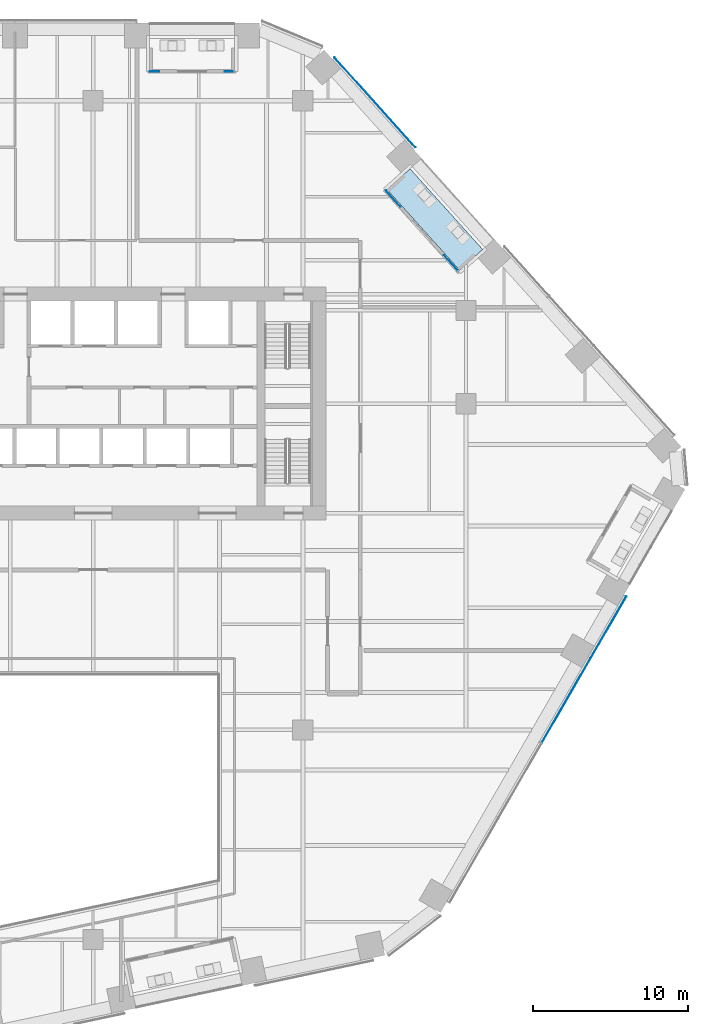
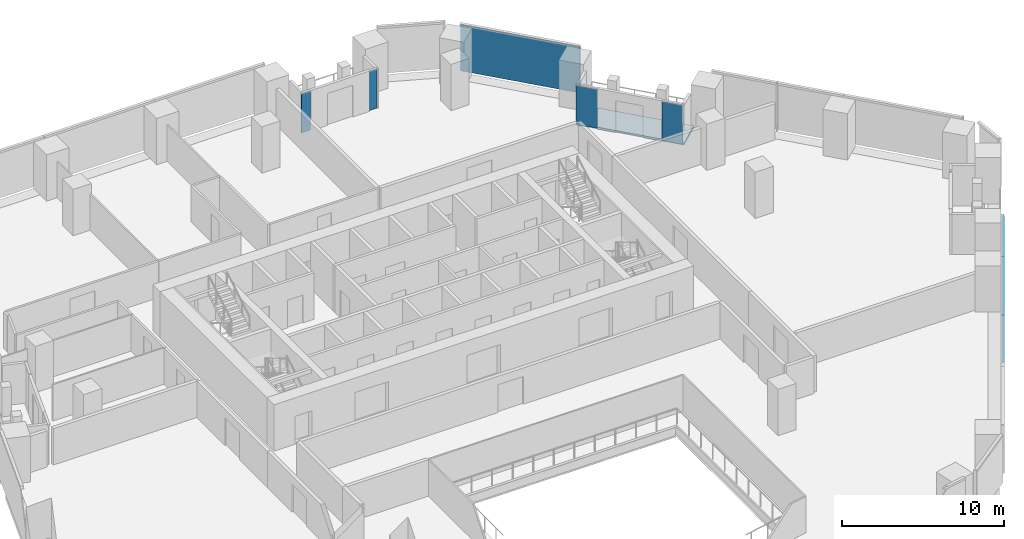
# One storey, part 18 of 28: 7 plates, 1 slab, 4 elements without a shape of their own.
"""IFC4 building model written with IfcOpenShell, lengths in metres."""

from ifc_helpers import new_model, si_unit, direction, frame, origin, origin_2d, place, context, subcontext, project, spatial, polyline, rectangle, outline, extrude, material, layer, layer_set, type_object, element, aggregate, save


model = new_model("IFC4")

# Units and contexts
model_context = context("Model", 3, precision=1e-05, world=origin(), true_north=direction((0.0, 1.0)))
body_context = subcontext(model_context, "Body", "Model", "MODEL_VIEW")
ifc_project = project(units=[si_unit("LENGTHUNIT", "METRE"), si_unit("AREAUNIT", "SQUARE_METRE"), si_unit("VOLUMEUNIT", "CUBIC_METRE"), si_unit("PLANEANGLEUNIT", "RADIAN"), si_unit("MASSUNIT", "GRAM", prefix="KILO")], contexts=[model_context])

# Site, building, storey
site_placement = place(None, origin())
site = spatial("IfcSite", under=ifc_project, at=site_placement, CompositionType="ELEMENT")
building_placement = place(site_placement, origin())
building = spatial("IfcBuilding", under=site, at=building_placement, Name="Isthmus Gate Tower", CompositionType="ELEMENT")
storey_placement = place(building_placement, frame((0.0, 0.0, 98.89990234375)))
storey = spatial("IfcBuildingStorey", under=building, at=storey_placement, Name="L23", CompositionType="ELEMENT", Elevation=98.89990234375)

# Curtain wall, plates
ifc_material_1 = material(Name="Aluminium, pale champagne anodised", Category="aluminium")
ifc_layer_1 = layer(ifc_material_1, 0.199951171875)
ifc_layer_set_1 = layer_set([ifc_layer_1], Name="CW-1 UNITISED CURTAIN WALL 200 DEEP")
curtain_wall_type_1 = type_object("IfcCurtainWallType", Name="CW-1 UNITISED CURTAIN WALL 200 DEEP", PredefinedType="NOTDEFINED", material=ifc_layer_set_1)
curtain_wall_1_placement = place(storey_placement, origin())
curtain_wall_1 = element("IfcCurtainWall", 1, at=curtain_wall_1_placement, inside=storey, type_object=curtain_wall_type_1, Name="CW-1 SE L23", PredefinedType="NOTDEFINED")
ifc_material_2 = material(Name="Laminated low-iron glass, pale blue tint", Category="glass")
ifc_layer_2 = layer(ifc_material_2, 0.0400390625)
ifc_layer_set_2 = layer_set([ifc_layer_2], Name="CW-1 CLEAR GLASS LITE 40")
plate_type_1 = type_object("IfcPlateType", Name="CW-1 CLEAR GLASS LITE 40", PredefinedType="CURTAIN_PANEL", material=ifc_layer_set_2)
plate_1_placement = place(storey_placement, frame((30.4560546875, -11.608642578125, 0.0), z_axis=(0.0, 0.0, 1.0), x_axis=(0.5, 0.866025403784, 0.0)))
plate_1 = element("IfcPlate", 2, at=plate_1_placement, type_object=plate_type_1, Name="CW-1 glass lite", PredefinedType="CURTAIN_PANEL", context=body_context, shape_type="SweptSolid", body=[
    extrude(rectangle(XDim=6.278564453125, YDim=0.0400390625, at=origin_2d()), origin(), (0.0, 0.0, 1.0), 3.5),
])
plate_2_placement = place(storey_placement, frame((33.173828125, -6.901123046875, 0.0), z_axis=(0.0, 0.0, 1.0), x_axis=(0.5, 0.866025403784, 0.0)))
plate_2 = element("IfcPlate", 3, at=plate_2_placement, type_object=plate_type_1, Name="CW-1 glass lite", PredefinedType="CURTAIN_PANEL", context=body_context, shape_type="SweptSolid", body=[
    extrude(rectangle(XDim=4.5927734375, YDim=0.0400390625, at=origin_2d()), origin(), (0.0, 0.0, 1.0), 3.5),
])
aggregate(curtain_wall_1, [plate_1, plate_2])

# Curtain wall, plate
curtain_wall_2_placement = place(storey_placement, origin())
curtain_wall_2 = element("IfcCurtainWall", 4, at=curtain_wall_2_placement, inside=storey, type_object=curtain_wall_type_1, Name="CW-1 NE L23", PredefinedType="NOTDEFINED")
plate_3_placement = place(storey_placement, frame((18.14013671875, 26.900390625, 0.0), z_axis=(0.0, 0.0, 1.0), x_axis=(-0.669130606359, 0.743144825477, 0.0)))
plate_3 = element("IfcPlate", 5, at=plate_3_placement, type_object=plate_type_1, Name="CW-1 glass lite", PredefinedType="CURTAIN_PANEL", context=body_context, shape_type="SweptSolid", body=[
    extrude(rectangle(XDim=7.789306640625, YDim=0.0400390625, at=origin_2d()), origin(), (0.0, 0.0, 1.0), 3.5),
])
aggregate(curtain_wall_2, [plate_3])

# Curtain wall, plates
ifc_material_3 = material(Name="Aluminium, pale champagne anodised", Category="aluminium")
ifc_layer_3 = layer(ifc_material_3, 0.14990234375)
ifc_layer_set_3 = layer_set([ifc_layer_3], Name="CW-6 LOGGIA BACK WALL GLAZING 150 DEEP")
curtain_wall_type_2 = type_object("IfcCurtainWallType", Name="CW-6 LOGGIA BACK WALL GLAZING 150 DEEP", PredefinedType="NOTDEFINED", material=ifc_layer_set_3)
curtain_wall_3_placement = place(storey_placement, origin())
curtain_wall_3 = element("IfcCurtainWall", 6, at=curtain_wall_3_placement, inside=storey, type_object=curtain_wall_type_2, Name="CW-6 N L23", PredefinedType="NOTDEFINED")
ifc_material_4 = material(Name="Laminated low-iron glass, clear", Category="glass")
ifc_layer_4 = layer(ifc_material_4, 0.031982421875)
ifc_layer_set_4 = layer_set([ifc_layer_4], Name="CW-6 CLEAR GLASS LITE 32")
plate_type_2 = type_object("IfcPlateType", Name="CW-6 CLEAR GLASS LITE 32", PredefinedType="CURTAIN_PANEL", material=ifc_layer_set_4)
plate_4_placement = place(storey_placement, frame((8.75439453125, 28.89990234375, 0.0), z_axis=(0.0, 0.0, 1.0), x_axis=(-1.0, 0.0, 0.0)))
plate_4 = element("IfcPlate", 7, at=plate_4_placement, type_object=plate_type_2, Name="CW-6 glass lite", PredefinedType="CURTAIN_PANEL", context=body_context, shape_type="SweptSolid", body=[
    extrude(rectangle(XDim=0.57470703125, YDim=0.031982421875, at=origin_2d()), origin(), (0.0, 0.0, 1.0), 2.929931640625),
])
plate_5_placement = place(storey_placement, frame((3.94970703125, 28.89990234375, 0.0), z_axis=(0.0, 0.0, 1.0), x_axis=(-1.0, 0.0, 0.0)))
plate_5 = element("IfcPlate", 8, at=plate_5_placement, type_object=plate_type_2, Name="CW-6 glass lite", PredefinedType="CURTAIN_PANEL", context=body_context, shape_type="SweptSolid", body=[
    extrude(rectangle(XDim=0.634765625, YDim=0.031982421875, at=origin_2d()), origin(), (0.0, 0.0, 1.0), 2.929931640625),
])
aggregate(curtain_wall_3, [plate_4, plate_5])

curtain_wall_4_placement = place(storey_placement, origin())
curtain_wall_4 = element("IfcCurtainWall", 9, at=curtain_wall_4_placement, inside=storey, type_object=curtain_wall_type_2, Name="CW-6 NE L23", PredefinedType="NOTDEFINED")
plate_6_placement = place(storey_placement, frame((23.0341796875, 16.563232421875, 0.0), z_axis=(0.0, 0.0, 1.0), x_axis=(-0.669130606359, 0.743144825477, 0.0)))
plate_6 = element("IfcPlate", 10, at=plate_6_placement, type_object=plate_type_2, Name="CW-6 glass lite", PredefinedType="CURTAIN_PANEL", context=body_context, shape_type="SweptSolid", body=[
    extrude(rectangle(XDim=1.334716796875, YDim=0.031982421875, at=origin_2d()), origin(), (0.0, 0.0, 1.0), 2.929931640625),
])
plate_7_placement = place(storey_placement, frame((19.310546875, 20.69873046875, 0.0), z_axis=(0.0, 0.0, 1.0), x_axis=(-0.669130606359, 0.743144825477, 0.0)))
plate_7 = element("IfcPlate", 11, at=plate_7_placement, type_object=plate_type_2, Name="CW-6 glass lite", PredefinedType="CURTAIN_PANEL", context=body_context, shape_type="SweptSolid", body=[
    extrude(rectangle(XDim=1.394775390625, YDim=0.031982421875, at=origin_2d()), origin(), (0.0, 0.0, 1.0), 2.929931640625),
])
aggregate(curtain_wall_4, [plate_6, plate_7])

# Slab
ifc_material_5 = material(Name="Concrete f'c 50 MPa", Category="concrete")
ifc_layer_5 = layer(ifc_material_5, 0.14990234375)
ifc_layer_set_5 = layer_set([ifc_layer_5], Name="LOGGIA FLOOR SLAB 150")
slab_type = type_object("IfcSlabType", Name="LOGGIA FLOOR SLAB 150", PredefinedType="FLOOR", material=ifc_layer_set_5)
slab_placement = place(storey_placement, frame((0.0, 0.0, -0.14990234375)))
element("IfcSlab", 12, at=slab_placement, inside=storey, type_object=slab_type, Name="LOGGIA FLOOR", PredefinedType="FLOOR", context=body_context, shape_type="SweptSolid", body=[
    extrude(outline(polyline([(25.08154296875, 17.427978515625), (20.404541015625, 22.6220703125), (18.91845703125, 21.28369140625), (23.59521484375, 16.089599609375), (25.08154296875, 17.427978515625)])), origin(), (0.0, 0.0, 1.0), 0.14990234375),
])

save(model, "model.ifc")
